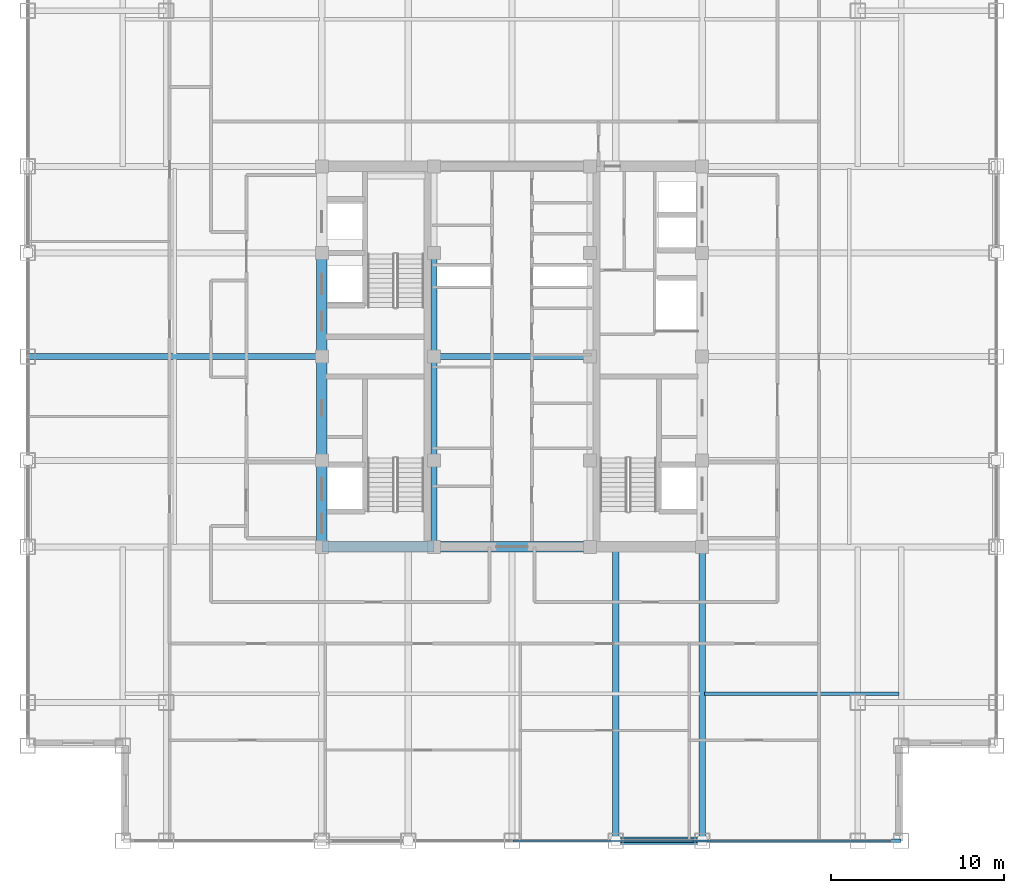
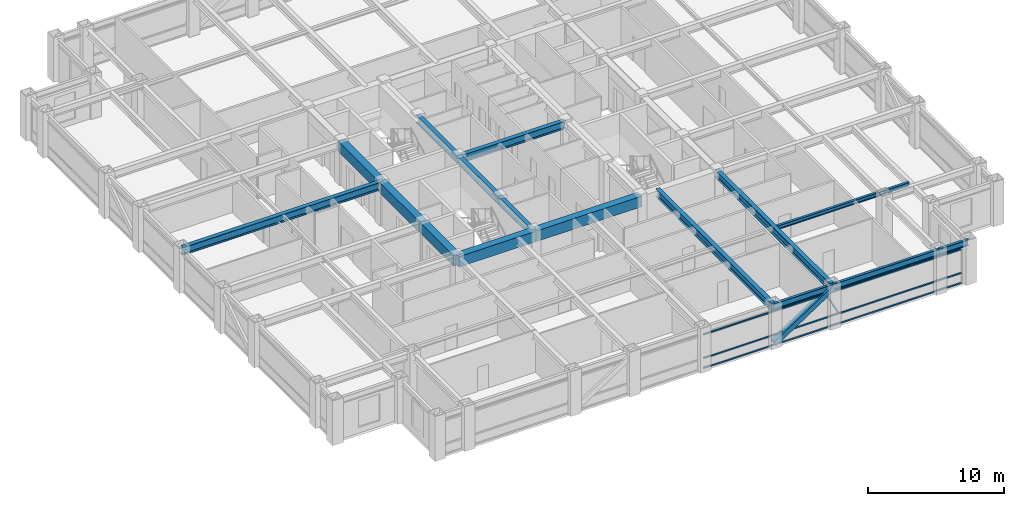
# One storey, part 7 of 22: 16 beams, 5 members, 1 element without a shape of its own.
"""IFC4 building model written with IfcOpenShell, lengths in metres."""

from ifc_helpers import new_model, si_unit, direction, frame, origin, origin_2d, place, context, subcontext, project, spatial, rectangle, hollow_rectangle, i_section, extrude, source, transform, mapped, material, material_profile, profile_set, type_object, element, aggregate, save


model = new_model("IFC4")

# Units and contexts
model_context = context("Model", 3, precision=1e-05, world=origin(), true_north=direction((0.0, 1.0)))
body_context = subcontext(model_context, "Body", "Model", "MODEL_VIEW")
ifc_project = project(units=[si_unit("LENGTHUNIT", "METRE"), si_unit("AREAUNIT", "SQUARE_METRE"), si_unit("VOLUMEUNIT", "CUBIC_METRE"), si_unit("PLANEANGLEUNIT", "RADIAN"), si_unit("MASSUNIT", "GRAM", prefix="KILO")], contexts=[model_context])

# Site, building, storey
site_placement = place(None, origin())
site = spatial("IfcSite", under=ifc_project, at=site_placement, CompositionType="ELEMENT")
building_placement = place(site_placement, origin())
building = spatial("IfcBuilding", under=site, at=building_placement, Name="Khorayat Bourse Tower", CompositionType="ELEMENT")
storey_placement = place(building_placement, frame((0.0, 0.0, 289.5)))
storey = spatial("IfcBuildingStorey", under=building, at=storey_placement, Name="L68", CompositionType="ELEMENT", Elevation=289.5)

# Beams
ifc_material_1 = material(Name="Steel ASTM A992 Grade 50", Category="steel")
ifc_material_profile_1 = material_profile(ifc_material_1, i_section(OverallWidth=0.35498046875, OverallDepth=0.695068359375, WebThickness=0.015380859375, FlangeThickness=0.02490234375, FilletRadius=0.01806640625, at=origin_2d()), Name="W690X217")
ifc_profile_set_1 = profile_set([ifc_material_profile_1], Name="Steel ASTM A992 Grade 50")
beam_type_1 = type_object("IfcBeamType", Name="BM-GIRD-690", PredefinedType="BEAM", material=ifc_profile_set_1)
shared_shape_1 = source(origin(), body_context, "Body", "SweptSolid", [
    extrude(i_section(OverallWidth=0.35498046875, OverallDepth=0.695068359375, WebThickness=0.015380859375, FlangeThickness=0.02490234375, FilletRadius=0.01806640625, at=origin_2d()), origin(), (0.0, 0.0, 1.0), 5.0),
])
beam_1_placement = place(storey_placement, frame((-4.5, -11.0, 3.4326171875), z_axis=(0.0, 1.0, 0.0), x_axis=(-1.0, 0.0, 0.0)))
element("IfcBeam", 1, at=beam_1_placement, inside=storey, type_object=beam_type_1, Name="L68 BM-GIRD-690 BM-L68-CRX-05", PredefinedType="BEAM", context=body_context, shape_type="MappedRepresentation", body=[
    mapped(shared_shape_1, transform((0.0, 0.0, 0.0), scale=1.0)),
])
shared_shape_2 = source(origin(), body_context, "Body", "SweptSolid", [
    extrude(i_section(OverallWidth=0.35498046875, OverallDepth=0.695068359375, WebThickness=0.015380859375, FlangeThickness=0.02490234375, FilletRadius=0.01806640625, at=origin_2d()), origin(), (0.0, 0.0, 1.0), 6.0),
])
for number, where, z_axis, x_axis, name in (
    (2, (-4.5, -6.0, 3.4326171875), (0.0, 1.0, 0.0), (-1.0, 0.0, 0.0), "L68 BM-GIRD-690 BM-L68-CRX-06"),
    (3, (-4.5, 0.0, 3.4326171875), (0.0, 1.0, 0.0), (-1.0, 0.0, 0.0), "L68 BM-GIRD-690 BM-L68-CRX-07"),
):
    element("IfcBeam", number, at=place(storey_placement, frame(where, z_axis=z_axis, x_axis=x_axis)), inside=storey, type_object=beam_type_1, Name=name, PredefinedType="BEAM", context=body_context, shape_type="MappedRepresentation", body=[
        mapped(shared_shape_2, transform((0.0, 0.0, 0.0), scale=1.0)),
    ])
shared_shape_3 = source(origin(), body_context, "Body", "SweptSolid", [
    extrude(i_section(OverallWidth=0.35498046875, OverallDepth=0.695068359375, WebThickness=0.015380859375, FlangeThickness=0.02490234375, FilletRadius=0.01806640625, at=origin_2d()), origin(), (0.0, 0.0, 1.0), 9.0),
])
beam_2_placement = place(storey_placement, frame((-4.5, 0.0, 3.4326171875), z_axis=(1.0, 0.0, 0.0), x_axis=(0.0, 1.0, 0.0)))
element("IfcBeam", 4, at=beam_2_placement, inside=storey, type_object=beam_type_1, Name="L68 BM-GIRD-690 BM-L68-CRY-23", PredefinedType="BEAM", context=body_context, shape_type="MappedRepresentation", body=[
    mapped(shared_shape_3, transform((0.0, 0.0, 0.0), scale=1.0)),
])
ifc_material_2 = material(Name="Concrete C60/75", Category="concrete")
ifc_material_profile_2 = material_profile(ifc_material_2, rectangle(XDim=0.60009765625, YDim=0.949951171875, at=origin_2d()), Name="RC 600x950")
ifc_profile_set_2 = profile_set([ifc_material_profile_2], Name="Concrete C60/75")
beam_type_2 = type_object("IfcBeamType", Name="BM-COUP-950", PredefinedType="BEAM", material=ifc_profile_set_2)
shared_shape_4 = source(origin(), body_context, "Body", "SweptSolid", [
    extrude(rectangle(XDim=0.60009765625, YDim=0.949951171875, at=origin_2d()), origin(), (0.0, 0.0, 1.0), 5.0),
])
beam_3_placement = place(storey_placement, frame((-11.0, -11.0, 3.304931640625), z_axis=(0.0, 1.0, 0.0), x_axis=(-1.0, 0.0, 0.0)))
element("IfcBeam", 5, at=beam_3_placement, inside=storey, type_object=beam_type_2, Name="L68 BM-COUP-950 BM-L68-CRX-01", PredefinedType="BEAM", context=body_context, shape_type="MappedRepresentation", body=[
    mapped(shared_shape_4, transform((0.0, 0.0, 0.0), scale=1.0)),
])
shared_shape_5 = source(origin(), body_context, "Body", "SweptSolid", [
    extrude(rectangle(XDim=0.60009765625, YDim=0.949951171875, at=origin_2d()), origin(), (0.0, 0.0, 1.0), 6.0),
])
for number, where, z_axis, x_axis, name in (
    (6, (-11.0, -6.0, 3.304931640625), (0.0, 1.0, 0.0), (-1.0, 0.0, 0.0), "L68 BM-COUP-950 BM-L68-CRX-02"),
    (7, (-11.0, 0.0, 3.304931640625), (0.0, 1.0, 0.0), (-1.0, 0.0, 0.0), "L68 BM-COUP-950 BM-L68-CRX-03"),
):
    element("IfcBeam", number, at=place(storey_placement, frame(where, z_axis=z_axis, x_axis=x_axis)), inside=storey, type_object=beam_type_2, Name=name, PredefinedType="BEAM", context=body_context, shape_type="MappedRepresentation", body=[
        mapped(shared_shape_5, transform((0.0, 0.0, 0.0), scale=1.0)),
    ])
shared_shape_6 = source(origin(), body_context, "Body", "SweptSolid", [
    extrude(rectangle(XDim=0.60009765625, YDim=0.949951171875, at=origin_2d()), origin(), (0.0, 0.0, 1.0), 6.5),
])
beam_4_placement = place(storey_placement, frame((-11.0, -11.0, 3.304931640625), z_axis=(1.0, 0.0, 0.0), x_axis=(0.0, 1.0, 0.0)))
element("IfcBeam", 8, at=beam_4_placement, inside=storey, type_object=beam_type_2, Name="L68 BM-COUP-950 BM-L68-CRY-17", PredefinedType="BEAM", context=body_context, shape_type="MappedRepresentation", body=[
    mapped(shared_shape_6, transform((0.0, 0.0, 0.0), scale=1.0)),
])
shared_shape_7 = source(origin(), body_context, "Body", "SweptSolid", [
    extrude(rectangle(XDim=0.60009765625, YDim=0.949951171875, at=origin_2d()), origin(), (0.0, 0.0, 1.0), 9.0),
])
beam_5_placement = place(storey_placement, frame((-4.5, -11.0, 3.304931640625), z_axis=(1.0, 0.0, 0.0), x_axis=(0.0, 1.0, 0.0)))
element("IfcBeam", 9, at=beam_5_placement, inside=storey, type_object=beam_type_2, Name="L68 BM-COUP-950 BM-L68-CRY-18", PredefinedType="BEAM", context=body_context, shape_type="MappedRepresentation", body=[
    mapped(shared_shape_7, transform((0.0, 0.0, 0.0), scale=1.0)),
])

# Member
ifc_material_3 = material(Name="Steel EN 10025-4 S460M", Category="steel")
ifc_material_profile_3 = material_profile(ifc_material_3, hollow_rectangle(XDim=0.449951171875, YDim=0.449951171875, WallThickness=0.02490234375, at=origin_2d()), Name="HSS 450x450x25")
ifc_profile_set_3 = profile_set([ifc_material_profile_3], Name="Steel EN 10025-4 S460M")
member_type_1 = type_object("IfcMemberType", Name="MBR-TUBE-450", PredefinedType="BRACE", material=ifc_profile_set_3)
shared_shape_8 = source(origin(), body_context, "Body", "SweptSolid", [
    extrude(hollow_rectangle(XDim=0.449951171875, YDim=0.449951171875, WallThickness=0.02490234375, at=origin_2d()), origin(), (0.0, 0.0, 1.0), 5.979736328125),
])
member_1_placement = place(storey_placement, frame((6.0, -28.0, 0.25), z_axis=(0.836141536525, 0.0, 0.548513747227), x_axis=(0.0, 1.0, 0.0)))
element("IfcMember", 10, at=member_1_placement, inside=storey, type_object=member_type_1, Name="L68 Perimeter Tube Brace 02", PredefinedType="BRACE", context=body_context, shape_type="MappedRepresentation", body=[
    mapped(shared_shape_8, transform((0.0, 0.0, 0.0), scale=1.0)),
])

# Beams
shared_shape_9 = source(origin(), body_context, "Body", "SweptSolid", [
    extrude(i_section(OverallWidth=0.35498046875, OverallDepth=0.695068359375, WebThickness=0.015380859375, FlangeThickness=0.02490234375, FilletRadius=0.01806640625, at=origin_2d()), origin(), (0.0, 0.0, 1.0), 17.0),
])
for number, where, z_axis, x_axis, name in (
    (11, (6.0, -28.0, 3.4326171875), (0.0, 1.0, 0.0), (-1.0, 0.0, 0.0), "L68 BM-GIRD-690 BM-L68-RADY-071"),
    (12, (11.0, -28.0, 3.4326171875), (0.0, 1.0, 0.0), (-1.0, 0.0, 0.0), "L68 BM-GIRD-690 BM-L68-RADY-073"),
    (13, (-28.0, 0.0, 3.4326171875), (1.0, 0.0, 0.0), (0.0, 1.0, 0.0), "L68 BM-GIRD-690 BM-L68-RADX-079"),
):
    element("IfcBeam", number, at=place(storey_placement, frame(where, z_axis=z_axis, x_axis=x_axis)), inside=storey, type_object=beam_type_1, Name=name, PredefinedType="BEAM", context=body_context, shape_type="MappedRepresentation", body=[
        mapped(shared_shape_9, transform((0.0, 0.0, 0.0), scale=1.0)),
    ])
ifc_material_profile_4 = material_profile(ifc_material_1, i_section(OverallWidth=0.202880859375, OverallDepth=0.346923828125, WebThickness=0.0078125, FlangeThickness=0.013427734375, FilletRadius=0.010009765625, at=origin_2d()), Name="W360X64")
ifc_profile_set_4 = profile_set([ifc_material_profile_4], Name="Steel ASTM A992 Grade 50")
beam_type_3 = type_object("IfcBeamType", Name="BM-JOIST-360", PredefinedType="JOIST", material=ifc_profile_set_4)
shared_shape_10 = source(origin(), body_context, "Body", "SweptSolid", [
    extrude(i_section(OverallWidth=0.202880859375, OverallDepth=0.346923828125, WebThickness=0.0078125, FlangeThickness=0.013427734375, FilletRadius=0.010009765625, at=origin_2d()), origin(), (0.0, 0.0, 1.0), 11.240234375),
])
beam_6_placement = place(storey_placement, frame((11.1298828125, -19.5, 3.6064453125), z_axis=(1.0, 0.0, 0.0), x_axis=(0.0, 1.0, 0.0)))
element("IfcBeam", 14, at=beam_6_placement, inside=storey, type_object=beam_type_3, Name="L68 BM-JOIST-360 BM-L68-JSTX-098", PredefinedType="JOIST", context=body_context, shape_type="MappedRepresentation", body=[
    mapped(shared_shape_10, transform((0.0, 0.0, 0.0), scale=1.0)),
])
ifc_material_profile_5 = material_profile(ifc_material_1, i_section(OverallWidth=0.214111328125, OverallDepth=0.549072265625, WebThickness=0.0146484375, FlangeThickness=0.023681640625, FilletRadius=0.013916015625, at=origin_2d()), Name="W530X138")
ifc_profile_set_5 = profile_set([ifc_material_profile_5], Name="Steel ASTM A992 Grade 50")
beam_type_4 = type_object("IfcBeamType", Name="BM-SPAN-530", PredefinedType="SPANDREL", material=ifc_profile_set_5)
shared_shape_11 = source(origin(), body_context, "Body", "SweptSolid", [
    extrude(i_section(OverallWidth=0.214111328125, OverallDepth=0.549072265625, WebThickness=0.0146484375, FlangeThickness=0.023681640625, FilletRadius=0.013916015625, at=origin_2d()), origin(), (0.0, 0.0, 1.0), 2.5),
])
beam_7_placement = place(storey_placement, frame((20.0, -28.0, 3.505615234375), z_axis=(1.0, 0.0, 0.0), x_axis=(0.0, 1.0, 0.0)))
element("IfcBeam", 15, at=beam_7_placement, inside=storey, type_object=beam_type_4, Name="L68 BM-SPAN-530 BM-L68-SPN-031", PredefinedType="SPANDREL", context=body_context, shape_type="MappedRepresentation", body=[
    mapped(shared_shape_11, transform((0.0, 0.0, 0.0), scale=1.0)),
])
shared_shape_12 = source(origin(), body_context, "Body", "SweptSolid", [
    extrude(i_section(OverallWidth=0.214111328125, OverallDepth=0.549072265625, WebThickness=0.0146484375, FlangeThickness=0.023681640625, FilletRadius=0.013916015625, at=origin_2d()), origin(), (0.0, 0.0, 1.0), 9.0),
])
beam_8_placement = place(storey_placement, frame((11.0, -28.0, 3.505615234375), z_axis=(1.0, 0.0, 0.0), x_axis=(0.0, 1.0, 0.0)))
element("IfcBeam", 16, at=beam_8_placement, inside=storey, type_object=beam_type_4, Name="L68 BM-SPAN-530 BM-L68-SPN-030", PredefinedType="SPANDREL", context=body_context, shape_type="MappedRepresentation", body=[
    mapped(shared_shape_12, transform((0.0, 0.0, 0.0), scale=1.0)),
])
shared_shape_13 = source(origin(), body_context, "Body", "SweptSolid", [
    extrude(i_section(OverallWidth=0.214111328125, OverallDepth=0.549072265625, WebThickness=0.0146484375, FlangeThickness=0.023681640625, FilletRadius=0.013916015625, at=origin_2d()), origin(), (0.0, 0.0, 1.0), 5.0),
])
beam_9_placement = place(storey_placement, frame((6.0, -28.0, 3.505615234375), z_axis=(1.0, 0.0, 0.0), x_axis=(0.0, 1.0, 0.0)))
element("IfcBeam", 17, at=beam_9_placement, inside=storey, type_object=beam_type_4, Name="L68 BM-SPAN-530 BM-L68-SPN-029", PredefinedType="SPANDREL", context=body_context, shape_type="MappedRepresentation", body=[
    mapped(shared_shape_13, transform((0.0, 0.0, 0.0), scale=1.0)),
])

# Curtain wall, members
ifc_material_4 = material(Name="Aluminium EN AW-6063 T6", Category="aluminium")
curtain_wall_type = type_object("IfcCurtainWallType", Name="CW-SYS-04", PredefinedType="NOTDEFINED", material=ifc_material_4)
curtain_wall_placement = place(storey_placement, origin())
curtain_wall = element("IfcCurtainWall", 18, at=curtain_wall_placement, inside=storey, type_object=curtain_wall_type, Name="L68 Curtain Wall CW-L68-S1", PredefinedType="NOTDEFINED")
ifc_material_profile_6 = material_profile(ifc_material_4, hollow_rectangle(XDim=0.1201171875, YDim=0.1201171875, WallThickness=0.0048828125, at=origin_2d()), Name="ALU 120x120x5")
ifc_profile_set_6 = profile_set([ifc_material_profile_6], Name="Aluminium EN AW-6063 T6")
member_type_2 = type_object("IfcMemberType", Name="CWM-DIAG-120", PredefinedType="MULLION", material=ifc_profile_set_6)
shared_shape_14 = source(origin(), body_context, "Body", "SweptSolid", [
    extrude(hollow_rectangle(XDim=0.1201171875, YDim=0.1201171875, WallThickness=0.0048828125, at=origin_2d()), origin(), (0.0, 0.0, 1.0), 2.0791015625),
])
member_2_placement = place(storey_placement, frame((11.4541015625, -28.0, 1.090087890625), z_axis=(-0.465717394116, 0.0, 0.884933505309), x_axis=(0.0, -1.0, 0.0)))
member_2 = element("IfcMember", 19, at=member_2_placement, type_object=member_type_2, Name="CW-L68-S1 Faceted Diagonal Mullion 2", PredefinedType="MULLION", context=body_context, shape_type="MappedRepresentation", body=[
    mapped(shared_shape_14, transform((0.0, 0.0, 0.0), scale=1.0)),
])
ifc_material_profile_7 = material_profile(ifc_material_4, hollow_rectangle(XDim=0.1201171875, YDim=0.1201171875, WallThickness=0.0048828125, at=origin_2d()), Name="ALU 120x120x5")
ifc_profile_set_7 = profile_set([ifc_material_profile_7], Name="Aluminium EN AW-6063 T6")
member_type_3 = type_object("IfcMemberType", Name="CWT-HORZ-120", PredefinedType="USERDEFINED", material=ifc_profile_set_7)
shared_shape_15 = source(origin(), body_context, "Body", "SweptSolid", [
    extrude(hollow_rectangle(XDim=0.1201171875, YDim=0.1201171875, WallThickness=0.0048828125, at=origin_2d()), origin(), (0.0, 0.0, 1.0), 21.81982421875),
])
member_3_placement = place(storey_placement, frame((0.06005859375, -28.0, 0.06005859375), z_axis=(1.0, 0.0, 0.0), x_axis=(0.0, 1.0, 0.0)))
member_3 = element("IfcMember", 20, at=member_3_placement, type_object=member_type_3, Name="CW-L68-S1 Horizontal Transom 2-1", ObjectType="TRANSOM", PredefinedType="USERDEFINED", context=body_context, shape_type="MappedRepresentation", body=[
    mapped(shared_shape_15, transform((0.0, 0.0, 0.0), scale=1.0)),
])
member_4_placement = place(storey_placement, frame((0.06005859375, -28.0, 0.949951171875), z_axis=(1.0, 0.0, 0.0), x_axis=(0.0, 1.0, 0.0)))
member_4 = element("IfcMember", 21, at=member_4_placement, type_object=member_type_3, Name="CW-L68-S1 Horizontal Transom 2-2", ObjectType="TRANSOM", PredefinedType="USERDEFINED", context=body_context, shape_type="MappedRepresentation", body=[
    mapped(shared_shape_15, transform((0.0, 0.0, 0.0), scale=1.0)),
])
member_5_placement = place(storey_placement, frame((0.06005859375, -28.0, 3.070068359375), z_axis=(1.0, 0.0, 0.0), x_axis=(0.0, 1.0, 0.0)))
member_5 = element("IfcMember", 22, at=member_5_placement, type_object=member_type_3, Name="CW-L68-S1 Horizontal Transom 2-3", ObjectType="TRANSOM", PredefinedType="USERDEFINED", context=body_context, shape_type="MappedRepresentation", body=[
    mapped(shared_shape_15, transform((0.0, 0.0, 0.0), scale=1.0)),
])
aggregate(curtain_wall, [member_3, member_4, member_5, member_2])

save(model, "model.ifc")
